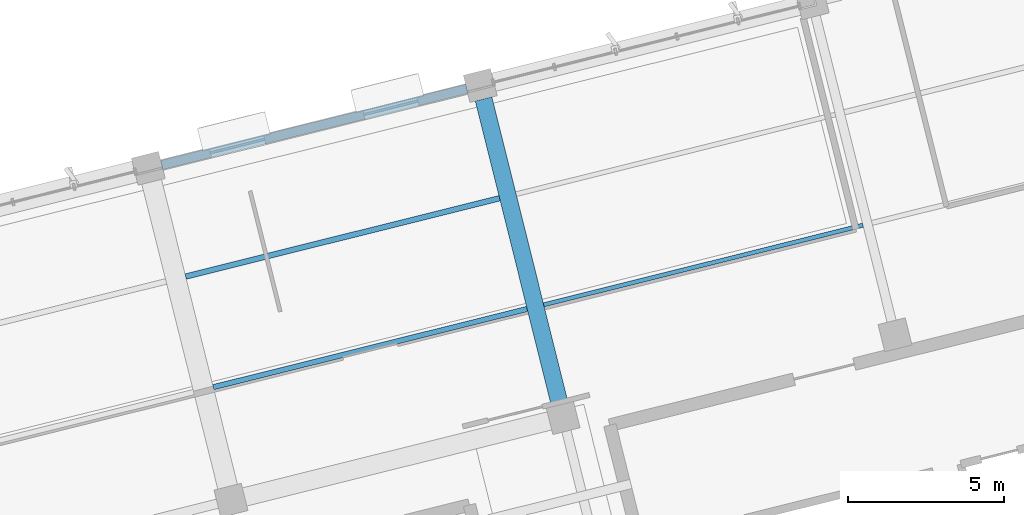
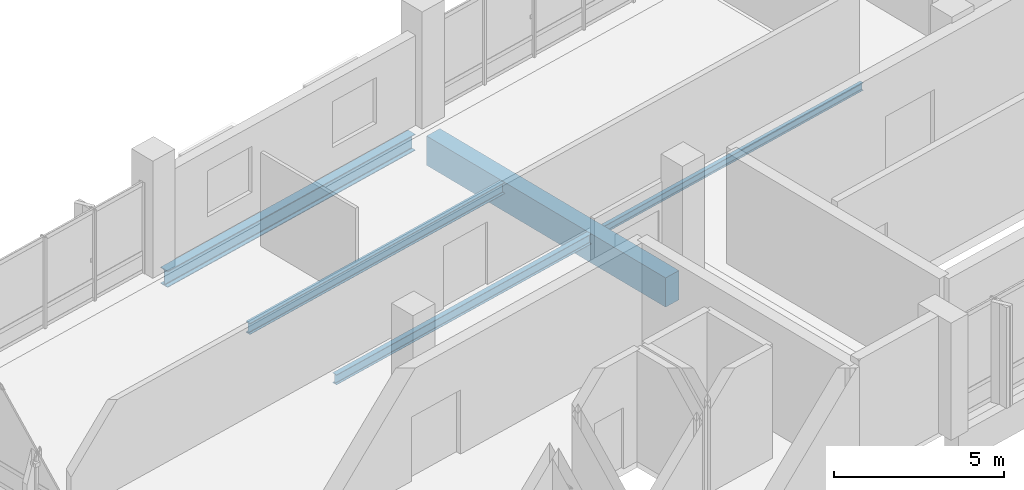
# One storey, part 6 of 22: 5 beams.
"""IFC4 building model written with IfcOpenShell, lengths in metres."""

from ifc_helpers import new_model, si_unit, direction, frame, origin, origin_2d, place, context, subcontext, project, spatial, rectangle, i_section, extrude, material, material_profile, profile_set, type_object, element, save


model = new_model("IFC4")

# Units and contexts
model_context = context("Model", 3, precision=1e-05, world=origin(), true_north=direction((0.0, 1.0)))
body_context = subcontext(model_context, "Body", "Model", "MODEL_VIEW")
ifc_project = project(units=[si_unit("LENGTHUNIT", "METRE"), si_unit("AREAUNIT", "SQUARE_METRE"), si_unit("VOLUMEUNIT", "CUBIC_METRE"), si_unit("PLANEANGLEUNIT", "RADIAN"), si_unit("MASSUNIT", "GRAM", prefix="KILO")], contexts=[model_context])

# Site, building, storey
site_placement = place(None, origin())
site = spatial("IfcSite", under=ifc_project, at=site_placement, CompositionType="ELEMENT")
building_placement = place(site_placement, origin())
building = spatial("IfcBuilding", under=site, at=building_placement, Name="Khorjan Park Terminus", CompositionType="ELEMENT")
storey_placement = place(building_placement, frame((0.0, 0.0, 24.6)))
storey = spatial("IfcBuildingStorey", under=building, at=storey_placement, Name="L05", CompositionType="ELEMENT", Elevation=24.6)

# Beams
ifc_material_1 = material(Name="Steel S355", Category="steel")
ifc_material_profile_1 = material_profile(ifc_material_1, i_section(OverallWidth=0.3, OverallDepth=0.59, WebThickness=0.013, FlangeThickness=0.025, FilletRadius=0.027, at=origin_2d()), Name="HEA 600")
ifc_profile_set_1 = profile_set([ifc_material_profile_1], Name="Steel S355")
beam_type_1 = type_object("IfcBeamType", Name="BM-HEA600", PredefinedType="BEAM", material=ifc_profile_set_1)
beam_1_placement = place(storey_placement, frame((182.456, 28.7764, -0.625), z_axis=(0.970294168541, 0.241928143249, 0.0), x_axis=(-0.241928143249, 0.970294168541, 0.0)))
element("IfcBeam", 1, at=beam_1_placement, inside=storey, type_object=beam_type_1, Name="Primary skew-grid floor girder SB-A60 (L05)", PredefinedType="BEAM", context=body_context, shape_type="SweptSolid", body=[
    extrude(i_section(OverallWidth=0.3, OverallDepth=0.59, WebThickness=0.013, FlangeThickness=0.025, FilletRadius=0.027, at=origin_2d()), origin(), (0.0, 0.0, 1.0), 10.11),
])
ifc_material_2 = material(Name="Concrete C40/50", Category="concrete")
ifc_material_profile_2 = material_profile(ifc_material_2, rectangle(XDim=0.55, YDim=1.05, at=origin_2d()), Name="RC 550x1050")
ifc_profile_set_2 = profile_set([ifc_material_profile_2], Name="Concrete C40/50")
beam_type_2 = type_object("IfcBeamType", Name="BM-RC550x1050", PredefinedType="BEAM", material=ifc_profile_set_2)
beam_2_placement = place(storey_placement, frame((195.251, 21.0885, -0.855), z_axis=(-0.241930465139, 0.97029358961, 0.0), x_axis=(-0.97029358961, -0.241930465139, 0.0)))
element("IfcBeam", 2, at=beam_2_placement, inside=storey, type_object=beam_type_2, Name="Primary skew-grid floor girder GB-105 (L05)", PredefinedType="BEAM", context=body_context, shape_type="SweptSolid", body=[
    extrude(rectangle(XDim=0.55, YDim=1.05, at=origin_2d()), origin(), (0.0, 0.0, 1.0), 10.1099),
])
ifc_material_profile_3 = material_profile(ifc_material_1, i_section(OverallWidth=0.135, OverallDepth=0.27, WebThickness=0.0066, FlangeThickness=0.0102, FilletRadius=0.015, at=origin_2d()), Name="IPE 270")
ifc_profile_set_3 = profile_set([ifc_material_profile_3], Name="Steel S355")
beam_type_3 = type_object("IfcBeamType", Name="JS-IPE270", PredefinedType="JOIST", material=ifc_profile_set_3)
beam_3_placement = place(storey_placement, frame((194.7384, 24.281, -0.465), z_axis=(0.970296385626, 0.241919251074, 0.0), x_axis=(-0.241919251074, 0.970296385626, 0.0)))
element("IfcBeam", 3, at=beam_3_placement, inside=storey, type_object=beam_type_3, Name="Secondary composite floor joist SJ-27 (L05)", PredefinedType="JOIST", context=body_context, shape_type="SweptSolid", body=[
    extrude(i_section(OverallWidth=0.135, OverallDepth=0.27, WebThickness=0.0066, FlangeThickness=0.0102, FilletRadius=0.015, at=origin_2d()), origin(), (0.0, 0.0, 1.0), 10.575),
])
ifc_material_profile_4 = material_profile(ifc_material_1, i_section(OverallWidth=0.17, OverallDepth=0.36, WebThickness=0.008, FlangeThickness=0.0127, FilletRadius=0.018, at=origin_2d()), Name="IPE 360")
ifc_profile_set_4 = profile_set([ifc_material_profile_4], Name="Steel S355")
beam_type_4 = type_object("IfcBeamType", Name="JS-IPE360", PredefinedType="JOIST", material=ifc_profile_set_4)
beam_4_placement = place(storey_placement, frame((184.1137, 21.6319, -0.51), z_axis=(0.970295023791, 0.241924713097, 0.0), x_axis=(-0.241924713097, 0.970295023791, 0.0)))
element("IfcBeam", 4, at=beam_4_placement, inside=storey, type_object=beam_type_4, Name="Secondary composite floor joist SJ-36 (L05)", PredefinedType="JOIST", context=body_context, shape_type="SweptSolid", body=[
    extrude(i_section(OverallWidth=0.17, OverallDepth=0.36, WebThickness=0.008, FlangeThickness=0.0127, FilletRadius=0.018, at=origin_2d()), origin(), (0.0, 0.0, 1.0), 10.3999),
])
ifc_material_profile_5 = material_profile(ifc_material_1, i_section(OverallWidth=0.18, OverallDepth=0.4, WebThickness=0.0086, FlangeThickness=0.0135, FilletRadius=0.021, at=origin_2d()), Name="IPE 400")
ifc_profile_set_5 = profile_set([ifc_material_profile_5], Name="Steel S355")
beam_type_5 = type_object("IfcBeamType", Name="JS-IPE400", PredefinedType="JOIST", material=ifc_profile_set_5)
beam_5_placement = place(storey_placement, frame((183.2266, 25.1896, -0.53), z_axis=(0.970295586552, 0.241922456002, 0.0), x_axis=(-0.241922456002, 0.970295586552, 0.0)))
element("IfcBeam", 5, at=beam_5_placement, inside=storey, type_object=beam_type_5, Name="Secondary composite floor joist SJ-40 (L05)", PredefinedType="JOIST", context=body_context, shape_type="SweptSolid", body=[
    extrude(i_section(OverallWidth=0.18, OverallDepth=0.4, WebThickness=0.0086, FlangeThickness=0.0135, FilletRadius=0.021, at=origin_2d()), origin(), (0.0, 0.0, 1.0), 10.4),
])

save(model, "model.ifc")
